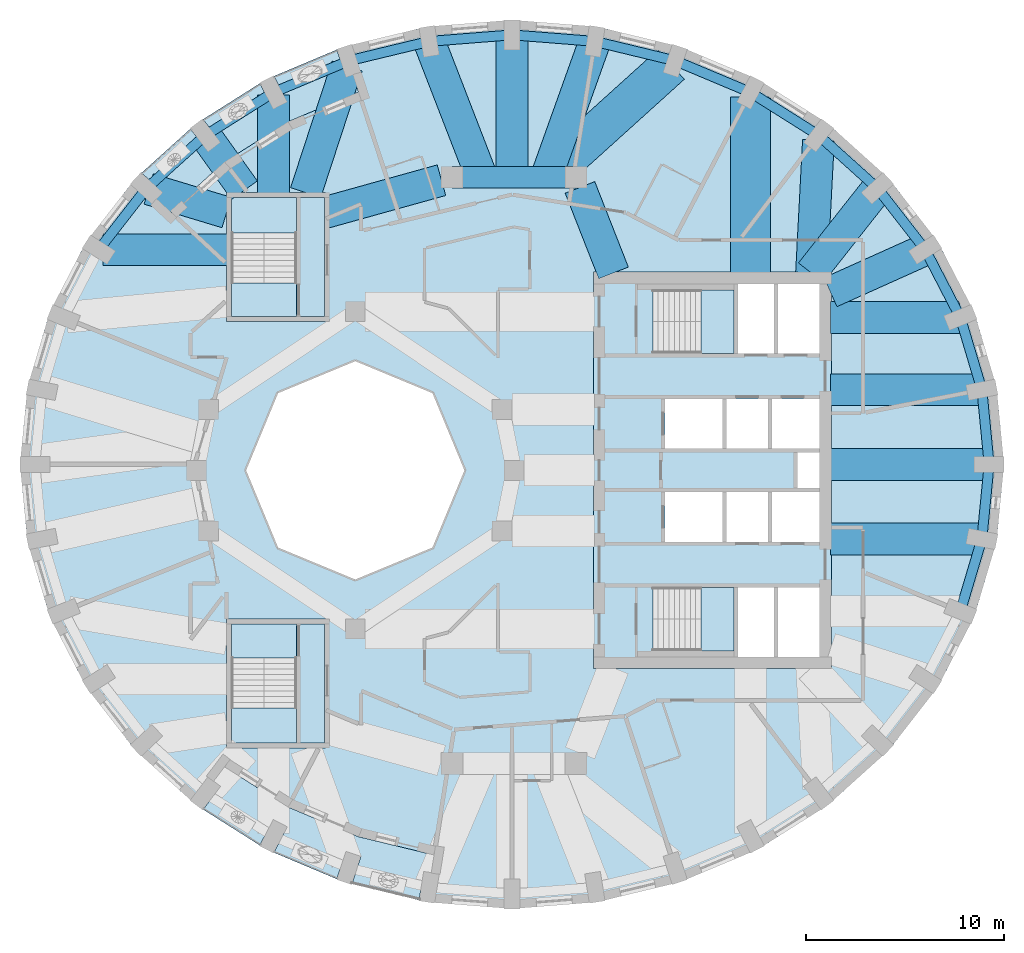
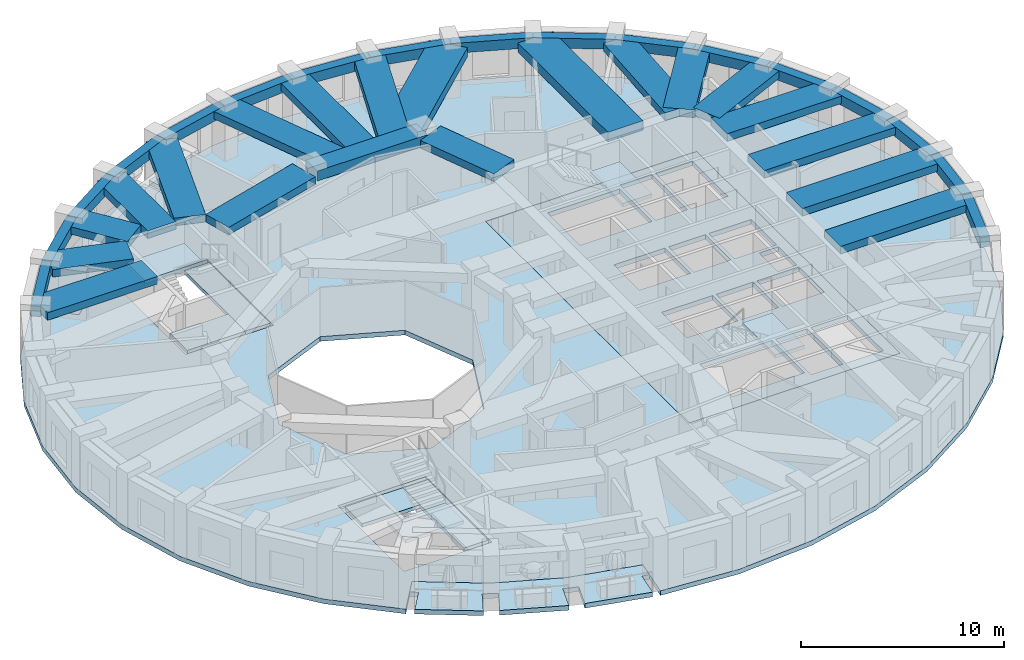
# One storey, part 2 of 12: 37 beams, 12 slabs, 4 elements without a shape of their own.
"""IFC4 building model written with IfcOpenShell, lengths in metres."""

from ifc_helpers import new_model, si_unit, direction, frame, origin, origin_2d, place, context, subcontext, project, spatial, polyline, rectangle, outline, extrude, material, layer, layer_set, material_profile, profile_set, type_object, element, aggregate, save


model = new_model("IFC4")

# Units and contexts
model_context = context("Model", 3, precision=1e-05, world=origin(), true_north=direction((0.0, 1.0)))
body_context = subcontext(model_context, "Body", "Model", "MODEL_VIEW")
ifc_project = project(units=[si_unit("LENGTHUNIT", "METRE"), si_unit("AREAUNIT", "SQUARE_METRE"), si_unit("VOLUMEUNIT", "CUBIC_METRE"), si_unit("PLANEANGLEUNIT", "RADIAN"), si_unit("MASSUNIT", "GRAM", prefix="KILO")], contexts=[model_context])

# Site, building, storey
site_placement = place(None, origin())
site = spatial("IfcSite", under=ifc_project, at=site_placement, CompositionType="ELEMENT")
building_placement = place(site_placement, origin())
building = spatial("IfcBuilding", under=site, at=building_placement, Name="Taillehof Tower", CompositionType="ELEMENT")
storey_placement = place(building_placement, frame((0.0, 0.0, 256.39990234375)))
storey = spatial("IfcBuildingStorey", under=building, at=storey_placement, Name="L73", CompositionType="ELEMENT", Elevation=256.39990234375)

# Beams
ifc_material_1 = material(Name="Concrete C50/60", Category="concrete")
ifc_material_profile_1 = material_profile(ifc_material_1, rectangle(XDim=1.10009765625, YDim=0.60009765625, at=origin_2d()), Name="RC 1100x600")
ifc_profile_set_1 = profile_set([ifc_material_profile_1], Name="Concrete C50/60")
beam_type_1 = type_object("IfcBeamType", Name="Mid-ring beam C50/60 1100x600", PredefinedType="BEAM", material=ifc_profile_set_1)
beam_1_placement = place(storey_placement, frame((3.125732421875, 14.772216796875, 2.650146484375), z_axis=(-1.0, 0.0, 0.0), x_axis=(0.0, -1.0, 0.0)))
element("IfcBeam", 1, at=beam_1_placement, inside=storey, type_object=beam_type_1, Name="Mid-ring beam MB01", PredefinedType="BEAM", context=body_context, shape_type="SweptSolid", body=[
    extrude(rectangle(XDim=1.10009765625, YDim=0.60009765625, at=origin_2d()), origin(), (0.0, 0.0, 1.0), 6.25146484375),
])
ifc_material_2 = material(Name="Concrete C50/60", Category="concrete")
ifc_material_profile_2 = material_profile(ifc_material_2, rectangle(XDim=1.60009765625, YDim=0.449951171875, at=origin_2d()), Name="RC 1600x450")
ifc_profile_set_2 = profile_set([ifc_material_profile_2], Name="Concrete C50/60")
beam_type_2 = type_object("IfcBeamType", Name="Radial band beam C50/60 1600x450", PredefinedType="BEAM", material=ifc_profile_set_2)
beam_2_placement = place(storey_placement, frame((23.949951171875, 0.300048828125, 2.72509765625), z_axis=(-1.0, 0.0, 0.0), x_axis=(0.0, -1.0, 0.0)))
element("IfcBeam", 2, at=beam_2_placement, inside=storey, type_object=beam_type_2, Name="Radial band beam RB01", PredefinedType="BEAM", context=body_context, shape_type="SweptSolid", body=[
    extrude(rectangle(XDim=1.60009765625, YDim=0.449951171875, at=origin_2d()), origin(), (0.0, 0.0, 1.0), 8.0),
])
beam_3_placement = place(storey_placement, frame((23.584716796875, 4.0595703125, 2.72509765625), z_axis=(-1.0, 0.0, 0.0), x_axis=(0.0, -1.0, 0.0)))
element("IfcBeam", 3, at=beam_3_placement, inside=storey, type_object=beam_type_2, Name="Radial band beam RB02", PredefinedType="BEAM", context=body_context, shape_type="SweptSolid", body=[
    extrude(rectangle(XDim=1.60009765625, YDim=0.449951171875, at=origin_2d()), origin(), (0.0, 0.0, 1.0), 7.634765625),
])
beam_4_placement = place(storey_placement, frame((22.44580078125, 7.704833984375, 2.72509765625), z_axis=(-1.0, 0.0, 0.0), x_axis=(0.0, -1.0, 0.0)))
element("IfcBeam", 4, at=beam_4_placement, inside=storey, type_object=beam_type_2, Name="Radial band beam RB03", PredefinedType="BEAM", context=body_context, shape_type="SweptSolid", body=[
    extrude(rectangle(XDim=1.60009765625, YDim=0.449951171875, at=origin_2d()), origin(), (0.0, 0.0, 1.0), 6.495849609375),
])
beam_5_placement = place(storey_placement, frame((20.72802734375, 11.125, 2.72509765625), z_axis=(-0.912110813011, -0.409943733685, 0.0), x_axis=(0.409943733685, -0.912110813011, 0.0)))
element("IfcBeam", 5, at=beam_5_placement, inside=storey, type_object=beam_type_2, Name="Radial band beam RB04", PredefinedType="BEAM", context=body_context, shape_type="SweptSolid", body=[
    extrude(rectangle(XDim=1.60009765625, YDim=0.449951171875, at=origin_2d()), origin(), (0.0, 0.0, 1.0), 5.233642578125),
])
beam_6_placement = place(storey_placement, frame((18.323486328125, 14.21630859375, 2.72509765625), z_axis=(-0.619052480422, -0.785349620541, 0.0), x_axis=(0.785349620541, -0.619052480422, 0.0)))
element("IfcBeam", 6, at=beam_6_placement, inside=storey, type_object=beam_type_2, Name="Radial band beam RB05", PredefinedType="BEAM", context=body_context, shape_type="SweptSolid", body=[
    extrude(rectangle(XDim=1.60009765625, YDim=0.449951171875, at=origin_2d()), origin(), (0.0, 0.0, 1.0), 5.418701171875),
])
beam_7_placement = place(storey_placement, frame((15.3466796875, 16.645751953125, 2.72509765625), z_axis=(-0.052105887855, -0.998641565553, 0.0), x_axis=(0.998641565553, -0.052105887855, 0.0)))
element("IfcBeam", 7, at=beam_7_placement, inside=storey, type_object=beam_type_2, Name="Radial band beam RB06", PredefinedType="BEAM", context=body_context, shape_type="SweptSolid", body=[
    extrude(rectangle(XDim=1.60009765625, YDim=0.449951171875, at=origin_2d()), origin(), (0.0, 0.0, 1.0), 6.704833984375),
])
beam_8_placement = place(storey_placement, frame((4.076171875, 21.62109375, 2.72509765625), z_axis=(-0.33687426523, -0.941549642571, 0.0), x_axis=(0.941549642571, -0.33687426523, 0.0)))
element("IfcBeam", 8, at=beam_8_placement, inside=storey, type_object=beam_type_2, Name="Radial band beam RB09", PredefinedType="BEAM", context=body_context, shape_type="SweptSolid", body=[
    extrude(rectangle(XDim=1.60009765625, YDim=0.449951171875, at=origin_2d()), origin(), (0.0, 0.0, 1.0), 7.27392578125),
])
beam_9_placement = place(storey_placement, frame((-0.10009765625, 21.949951171875, 2.72509765625), z_axis=(0.0, -1.0, 0.0), x_axis=(1.0, 0.0, 0.0)))
element("IfcBeam", 9, at=beam_9_placement, inside=storey, type_object=beam_type_2, Name="Radial band beam RB10", PredefinedType="BEAM", context=body_context, shape_type="SweptSolid", body=[
    extrude(rectangle(XDim=1.60009765625, YDim=0.449951171875, at=origin_2d()), origin(), (0.0, 0.0, 1.0), 7.177734375),
])
beam_10_placement = place(storey_placement, frame((-4.276123046875, 21.62109375, 2.72509765625), z_axis=(0.360900836016, -0.932604196089, 0.0), x_axis=(0.932604196089, 0.360900836016, 0.0)))
element("IfcBeam", 10, at=beam_10_placement, inside=storey, type_object=beam_type_2, Name="Radial band beam RB11", PredefinedType="BEAM", context=body_context, shape_type="SweptSolid", body=[
    extrude(rectangle(XDim=1.60009765625, YDim=0.449951171875, at=origin_2d()), origin(), (0.0, 0.0, 1.0), 7.34375),
])
beam_11_placement = place(storey_placement, frame((-8.41162109375, 20.38134765625, 2.72509765625), z_axis=(-0.311042642597, -0.950395956687, 0.0), x_axis=(0.950395956687, -0.311042642597, 0.0)))
element("IfcBeam", 11, at=beam_11_placement, inside=storey, type_object=beam_type_2, Name="Radial band beam RB12", PredefinedType="BEAM", context=body_context, shape_type="SweptSolid", body=[
    extrude(rectangle(XDim=1.60009765625, YDim=0.449951171875, at=origin_2d()), origin(), (0.0, 0.0, 1.0), 6.715576171875),
])
beam_12_placement = place(storey_placement, frame((-12.125, 18.91552734375, 2.72509765625), z_axis=(0.0, -1.0, 0.0), x_axis=(1.0, 0.0, 0.0)))
element("IfcBeam", 12, at=beam_12_placement, inside=storey, type_object=beam_type_2, Name="Radial band beam RB13", PredefinedType="BEAM", context=body_context, shape_type="SweptSolid", body=[
    extrude(rectangle(XDim=1.60009765625, YDim=0.449951171875, at=origin_2d()), origin(), (0.0, 0.0, 1.0), 4.965576171875),
])
beam_13_placement = place(storey_placement, frame((-15.55908203125, 16.884765625, 2.72509765625), z_axis=(0.580959197129, -0.813932682272, 0.0), x_axis=(0.813932682272, 0.580959197129, 0.0)))
element("IfcBeam", 13, at=beam_13_placement, inside=storey, type_object=beam_type_2, Name="Radial band beam RB14", PredefinedType="BEAM", context=body_context, shape_type="SweptSolid", body=[
    extrude(rectangle(XDim=1.60009765625, YDim=0.449951171875, at=origin_2d()), origin(), (0.0, 0.0, 1.0), 3.394287109375),
])
beam_14_placement = place(storey_placement, frame((-18.413818359375, 14.18310546875, 2.72509765625), z_axis=(0.957221394865, -0.289356529584, 0.0), x_axis=(0.289356529584, 0.957221394865, 0.0)))
element("IfcBeam", 14, at=beam_14_placement, inside=storey, type_object=beam_type_2, Name="Radial band beam RB15", PredefinedType="BEAM", context=body_context, shape_type="SweptSolid", body=[
    extrude(rectangle(XDim=1.60009765625, YDim=0.449951171875, at=origin_2d()), origin(), (0.0, 0.0, 1.0), 4.102294921875),
])
beam_15_placement = place(storey_placement, frame((-20.7119140625, 11.125, 2.72509765625), z_axis=(1.0, 0.0, 0.0), x_axis=(0.0, 1.0, 0.0)))
element("IfcBeam", 15, at=beam_15_placement, inside=storey, type_object=beam_type_2, Name="Radial band beam RB16", PredefinedType="BEAM", context=body_context, shape_type="SweptSolid", body=[
    extrude(rectangle(XDim=1.60009765625, YDim=0.449951171875, at=origin_2d()), origin(), (0.0, 0.0, 1.0), 6.261962890625),
])
beam_16_placement = place(storey_placement, frame((23.584716796875, -3.45947265625, 2.72509765625), z_axis=(-1.0, 0.0, 0.0), x_axis=(0.0, -1.0, 0.0)))
element("IfcBeam", 16, at=beam_16_placement, inside=storey, type_object=beam_type_2, Name="Radial band beam RB36", PredefinedType="BEAM", context=body_context, shape_type="SweptSolid", body=[
    extrude(rectangle(XDim=1.60009765625, YDim=0.449951171875, at=origin_2d()), origin(), (0.0, 0.0, 1.0), 7.634765625),
])
beam_17_placement = place(storey_placement, frame((3.32666015625, 14.26025390625, 2.72509765625), z_axis=(0.365588707223, -0.930776502255, 0.0), x_axis=(0.930776502255, 0.365588707223, 0.0)))
element("IfcBeam", 17, at=beam_17_placement, inside=storey, type_object=beam_type_2, Name="Inner band beam IB205", PredefinedType="BEAM", context=body_context, shape_type="SweptSolid", body=[
    extrude(rectangle(XDim=1.60009765625, YDim=0.449951171875, at=origin_2d()), origin(), (0.0, 0.0, 1.0), 4.627197265625),
])
beam_18_placement = place(storey_placement, frame((-3.655517578125, 14.624755859375, 2.72509765625), z_axis=(-0.963459369536, -0.267854518821, 0.0), x_axis=(0.267854518821, -0.963459369536, 0.0)))
element("IfcBeam", 18, at=beam_18_placement, inside=storey, type_object=beam_type_2, Name="Inner band beam IB206", PredefinedType="BEAM", context=body_context, shape_type="SweptSolid", body=[
    extrude(rectangle(XDim=1.60009765625, YDim=0.449951171875, at=origin_2d()), origin(), (0.0, 0.0, 1.0), 6.096923828125),
])
ifc_material_3 = material(Name="Concrete C50/60", Category="concrete")
ifc_material_profile_3 = material_profile(ifc_material_3, rectangle(XDim=2.0, YDim=0.550048828125, at=origin_2d()), Name="RC 2000x550")
ifc_profile_set_3 = profile_set([ifc_material_profile_3], Name="Concrete C50/60")
beam_type_3 = type_object("IfcBeamType", Name="Radial band beam C50/60 2000x550", PredefinedType="BEAM", material=ifc_profile_set_3)
beam_19_placement = place(storey_placement, frame((11.925048828125, 18.8115234375, 2.675048828125), z_axis=(0.0, -1.0, 0.0), x_axis=(1.0, 0.0, 0.0)))
element("IfcBeam", 19, at=beam_19_placement, inside=storey, type_object=beam_type_3, Name="Radial band beam RB07", PredefinedType="BEAM", context=body_context, shape_type="SweptSolid", body=[
    extrude(rectangle(XDim=2.0, YDim=0.550048828125, at=origin_2d()), origin(), (0.0, 0.0, 1.0), 8.861572265625),
])
beam_20_placement = place(storey_placement, frame((7.9150390625, 20.4541015625, 2.675048828125), z_axis=(-0.742031364941, -0.670365164253, 0.0), x_axis=(0.670365164253, -0.742031364941, 0.0)))
element("IfcBeam", 20, at=beam_20_placement, inside=storey, type_object=beam_type_3, Name="Radial band beam RB08", PredefinedType="BEAM", context=body_context, shape_type="SweptSolid", body=[
    extrude(rectangle(XDim=2.0, YDim=0.550048828125, at=origin_2d()), origin(), (0.0, 0.0, 1.0), 8.189453125),
])
ifc_material_4 = material(Name="Concrete C50/60", Category="concrete")
ifc_material_profile_4 = material_profile(ifc_material_4, rectangle(XDim=0.5, YDim=0.60009765625, at=origin_2d()), Name="RC 500x600")
ifc_profile_set_4 = profile_set([ifc_material_profile_4], Name="Concrete C50/60")
beam_type_4 = type_object("IfcBeamType", Name="Spandrel beam C50/60 500x600", PredefinedType="SPANDREL", material=ifc_profile_set_4)
beam_21_placement = place(storey_placement, frame((23.949951171875, 0.300048828125, 2.650146484375), z_axis=(-0.096693940319, 0.995314162416, 0.0), x_axis=(-0.995314162416, -0.096693940319, 0.0)))
element("IfcBeam", 21, at=beam_21_placement, inside=storey, type_object=beam_type_4, Name="Spandrel beam SB01", PredefinedType="SPANDREL", context=body_context, shape_type="SweptSolid", body=[
    extrude(rectangle(XDim=0.5, YDim=0.60009765625, at=origin_2d()), origin(), (0.0, 0.0, 1.0), 3.777099609375),
])
beam_22_placement = place(storey_placement, frame((23.584716796875, 4.0595703125, 2.650146484375), z_axis=(-0.285327303248, 0.95843013831, 0.0), x_axis=(-0.95843013831, -0.285327303248, 0.0)))
element("IfcBeam", 22, at=beam_22_placement, inside=storey, type_object=beam_type_4, Name="Spandrel beam SB02", PredefinedType="SPANDREL", context=body_context, shape_type="SweptSolid", body=[
    extrude(rectangle(XDim=0.5, YDim=0.60009765625, at=origin_2d()), origin(), (0.0, 0.0, 1.0), 3.803466796875),
])
beam_23_placement = place(storey_placement, frame((22.49951171875, 7.704833984375, 2.650146484375), z_axis=(-0.45992118545, 0.887959741865, 0.0), x_axis=(-0.887959741865, -0.45992118545, 0.0)))
element("IfcBeam", 23, at=beam_23_placement, inside=storey, type_object=beam_type_4, Name="Spandrel beam SB03", PredefinedType="SPANDREL", context=body_context, shape_type="SweptSolid", body=[
    extrude(rectangle(XDim=0.5, YDim=0.60009765625, at=origin_2d()), origin(), (0.0, 0.0, 1.0), 3.851806640625),
])
beam_24_placement = place(storey_placement, frame((20.72802734375, 11.125, 2.650146484375), z_axis=(-0.613970823209, 0.78932872002, 0.0), x_axis=(-0.78932872002, -0.613970823209, 0.0)))
element("IfcBeam", 24, at=beam_24_placement, inside=storey, type_object=beam_type_4, Name="Spandrel beam SB04", PredefinedType="SPANDREL", context=body_context, shape_type="SweptSolid", body=[
    extrude(rectangle(XDim=0.5, YDim=0.60009765625, at=origin_2d()), origin(), (0.0, 0.0, 1.0), 3.916259765625),
])
beam_25_placement = place(storey_placement, frame((18.323486328125, 14.21630859375, 2.650146484375), z_axis=(-0.743227182134, 0.669039128704, 0.0), x_axis=(-0.669039128704, -0.743227182134, 0.0)))
element("IfcBeam", 25, at=beam_25_placement, inside=storey, type_object=beam_type_4, Name="Spandrel beam SB05", PredefinedType="SPANDREL", context=body_context, shape_type="SweptSolid", body=[
    extrude(rectangle(XDim=0.5, YDim=0.60009765625, at=origin_2d()), origin(), (0.0, 0.0, 1.0), 3.988525390625),
])
beam_26_placement = place(storey_placement, frame((15.359130859375, 16.884765625, 2.650146484375), z_axis=(-0.845944476237, 0.5332709847, 0.0), x_axis=(-0.5332709847, -0.845944476237, 0.0)))
element("IfcBeam", 26, at=beam_26_placement, inside=storey, type_object=beam_type_4, Name="Spandrel beam SB06", PredefinedType="SPANDREL", context=body_context, shape_type="SweptSolid", body=[
    extrude(rectangle(XDim=0.5, YDim=0.60009765625, at=origin_2d()), origin(), (0.0, 0.0, 1.0), 4.0595703125),
])
beam_27_placement = place(storey_placement, frame((11.925048828125, 19.049560546875, 2.650146484375), z_axis=(-0.922076419735, 0.387007850267, 0.0), x_axis=(-0.387007850267, -0.922076419735, 0.0)))
element("IfcBeam", 27, at=beam_27_placement, inside=storey, type_object=beam_type_4, Name="Spandrel beam SB07", PredefinedType="SPANDREL", context=body_context, shape_type="SweptSolid", body=[
    extrude(rectangle(XDim=0.5, YDim=0.60009765625, at=origin_2d()), origin(), (0.0, 0.0, 1.0), 4.12060546875),
])
beam_28_placement = place(storey_placement, frame((8.12548828125, 20.644287109375, 2.650146484375), z_axis=(-0.972115850295, 0.234501116425, 0.0), x_axis=(-0.234501116425, -0.972115850295, 0.0)))
element("IfcBeam", 28, at=beam_28_placement, inside=storey, type_object=beam_type_4, Name="Spandrel beam SB08", PredefinedType="SPANDREL", context=body_context, shape_type="SweptSolid", body=[
    extrude(rectangle(XDim=0.5, YDim=0.60009765625, at=origin_2d()), origin(), (0.0, 0.0, 1.0), 4.16552734375),
])
beam_29_placement = place(storey_placement, frame((4.076171875, 21.62109375, 2.650146484375), z_axis=(-0.996914011582, 0.078501296247, 0.0), x_axis=(-0.078501296247, -0.996914011582, 0.0)))
element("IfcBeam", 29, at=beam_29_placement, inside=storey, type_object=beam_type_4, Name="Spandrel beam SB09", PredefinedType="SPANDREL", context=body_context, shape_type="SweptSolid", body=[
    extrude(rectangle(XDim=0.5, YDim=0.60009765625, at=origin_2d()), origin(), (0.0, 0.0, 1.0), 4.189208984375),
])
beam_30_placement = place(storey_placement, frame((-0.10009765625, 21.949951171875, 2.650146484375), z_axis=(-0.996913652411, -0.07850585734, 0.0), x_axis=(0.07850585734, -0.996913652411, 0.0)))
element("IfcBeam", 30, at=beam_30_placement, inside=storey, type_object=beam_type_4, Name="Spandrel beam SB10", PredefinedType="SPANDREL", context=body_context, shape_type="SweptSolid", body=[
    extrude(rectangle(XDim=0.5, YDim=0.60009765625, at=origin_2d()), origin(), (0.0, 0.0, 1.0), 4.18896484375),
])
beam_31_placement = place(storey_placement, frame((-4.276123046875, 21.62109375, 2.650146484375), z_axis=(-0.972119073064, -0.234487756154, 0.0), x_axis=(0.234487756154, -0.972119073064, 0.0)))
element("IfcBeam", 31, at=beam_31_placement, inside=storey, type_object=beam_type_4, Name="Spandrel beam SB11", PredefinedType="SPANDREL", context=body_context, shape_type="SweptSolid", body=[
    extrude(rectangle(XDim=0.5, YDim=0.60009765625, at=origin_2d()), origin(), (0.0, 0.0, 1.0), 4.165771484375),
])
beam_32_placement = place(storey_placement, frame((-8.32568359375, 20.644287109375, 2.650146484375), z_axis=(-0.922067545136, -0.387028994013, 0.0), x_axis=(0.387028994013, -0.922067545136, 0.0)))
element("IfcBeam", 32, at=beam_32_placement, inside=storey, type_object=beam_type_4, Name="Spandrel beam SB12", PredefinedType="SPANDREL", context=body_context, shape_type="SweptSolid", body=[
    extrude(rectangle(XDim=0.5, YDim=0.60009765625, at=origin_2d()), origin(), (0.0, 0.0, 1.0), 4.120361328125),
])
beam_33_placement = place(storey_placement, frame((-12.125, 19.049560546875, 2.650146484375), z_axis=(-0.845944476237, -0.5332709847, 0.0), x_axis=(0.5332709847, -0.845944476237, 0.0)))
element("IfcBeam", 33, at=beam_33_placement, inside=storey, type_object=beam_type_4, Name="Spandrel beam SB13", PredefinedType="SPANDREL", context=body_context, shape_type="SweptSolid", body=[
    extrude(rectangle(XDim=0.5, YDim=0.60009765625, at=origin_2d()), origin(), (0.0, 0.0, 1.0), 4.0595703125),
])
beam_34_placement = place(storey_placement, frame((-15.55908203125, 16.884765625, 2.650146484375), z_axis=(-0.743227182134, -0.669039128704, 0.0), x_axis=(0.669039128704, -0.743227182134, 0.0)))
element("IfcBeam", 34, at=beam_34_placement, inside=storey, type_object=beam_type_4, Name="Spandrel beam SB14", PredefinedType="SPANDREL", context=body_context, shape_type="SweptSolid", body=[
    extrude(rectangle(XDim=0.5, YDim=0.60009765625, at=origin_2d()), origin(), (0.0, 0.0, 1.0), 3.988525390625),
])
beam_35_placement = place(storey_placement, frame((-18.5234375, 14.21630859375, 2.650146484375), z_axis=(-0.613970823209, -0.78932872002, 0.0), x_axis=(0.78932872002, -0.613970823209, 0.0)))
element("IfcBeam", 35, at=beam_35_placement, inside=storey, type_object=beam_type_4, Name="Spandrel beam SB15", PredefinedType="SPANDREL", context=body_context, shape_type="SweptSolid", body=[
    extrude(rectangle(XDim=0.5, YDim=0.60009765625, at=origin_2d()), origin(), (0.0, 0.0, 1.0), 3.916259765625),
])
beam_36_placement = place(storey_placement, frame((22.49951171875, -7.104736328125, 2.650146484375), z_axis=(0.285327303248, 0.95843013831, 0.0), x_axis=(-0.95843013831, 0.285327303248, 0.0)))
element("IfcBeam", 36, at=beam_36_placement, inside=storey, type_object=beam_type_4, Name="Spandrel beam SB35", PredefinedType="SPANDREL", context=body_context, shape_type="SweptSolid", body=[
    extrude(rectangle(XDim=0.5, YDim=0.60009765625, at=origin_2d()), origin(), (0.0, 0.0, 1.0), 3.803466796875),
])
beam_37_placement = place(storey_placement, frame((23.584716796875, -3.45947265625, 2.650146484375), z_axis=(0.096693940319, 0.995314162416, 0.0), x_axis=(-0.995314162416, 0.096693940319, 0.0)))
element("IfcBeam", 37, at=beam_37_placement, inside=storey, type_object=beam_type_4, Name="Spandrel beam SB36", PredefinedType="SPANDREL", context=body_context, shape_type="SweptSolid", body=[
    extrude(rectangle(XDim=0.5, YDim=0.60009765625, at=origin_2d()), origin(), (0.0, 0.0, 1.0), 3.777099609375),
])

# Slabs
ifc_material_5 = material(Name="Concrete C40/50", Category="concrete")
ifc_layer_1 = layer(ifc_material_5, 0.280029296875)
ifc_layer_set_1 = layer_set([ifc_layer_1], Name="Balcony slab 280")
slab_type_1 = type_object("IfcSlabType", Name="Balcony slab 280", PredefinedType="USERDEFINED", material=ifc_layer_set_1)
slab_1_placement = place(storey_placement, frame((0.0, 0.0, -0.27978515625)))
element("IfcSlab", 38, at=slab_1_placement, inside=storey, type_object=slab_type_1, Name="Balcony L73 pocket 3", ObjectType="BALCONY", PredefinedType="USERDEFINED", context=body_context, shape_type="SweptSolid", body=[
    extrude(outline(polyline([(-17.339599609375, 13.06494140625), (-17.999755859375, 13.67822265625), (-17.70166015625, 13.9990234375), (-18.771728515625, 14.9931640625), (-16.311279296875, 17.21533203125), (-15.4248046875, 16.04541015625), (-14.787353515625, 16.52880859375), (-15.67041015625, 17.69384765625), (-12.81201171875, 19.501708984375), (-12.1328125, 18.199462890625), (-11.423583984375, 18.5693359375), (-12.100341796875, 19.8671875), (-8.93017578125, 21.20263671875), (-8.471435546875, 19.806884765625), (-8.11376953125, 19.924560546875), (-7.83251953125, 19.069091796875), (-11.390380859375, 17.571044921875), (-14.591552734375, 15.546630859375), (-17.339599609375, 13.06494140625)])), origin(), (0.0, 0.0, 1.0), 0.27978515625),
])
slab_2_placement = place(storey_placement, frame((0.0, 0.0, -0.27978515625)))
element("IfcSlab", 39, at=slab_2_placement, inside=storey, type_object=slab_type_1, Name="Balcony L73 pocket 7", ObjectType="BALCONY", PredefinedType="USERDEFINED", context=body_context, shape_type="SweptSolid", body=[
    extrude(outline(polyline([(-4.029052734375, -19.3896484375), (-4.170654296875, -20.278564453125), (-4.55322265625, -20.217529296875), (-4.784423828125, -21.668212890625), (-8.169189453125, -20.84912109375), (-7.71142578125, -19.456787109375), (-8.471435546875, -19.20703125), (-8.93017578125, -20.6025390625), (-12.100341796875, -19.267333984375), (-11.423583984375, -17.969482421875), (-12.1328125, -17.599365234375), (-12.81201171875, -18.901611328125), (-15.67041015625, -17.093994140625), (-14.787353515625, -15.9287109375), (-15.1357421875, -15.664794921875), (-14.591552734375, -14.94677734375), (-11.390380859375, -16.970947265625), (-7.83251953125, -18.46923828125), (-4.029052734375, -19.3896484375)])), origin(), (0.0, 0.0, 1.0), 0.27978515625),
])
ifc_material_6 = material(Name="Concrete C40/50", Category="concrete")
ifc_layer_2 = layer(ifc_material_6, 0.280029296875)
ifc_layer_set_2 = layer_set([ifc_layer_2], Name="Core floor slab C40/50 280")
slab_type_2 = type_object("IfcSlabType", Name="Core floor slab C40/50 280", PredefinedType="FLOOR", material=ifc_layer_set_2)
slab_3_placement = place(storey_placement, frame((0.0, 0.0, -0.27978515625)))
element("IfcSlab", 40, at=slab_3_placement, inside=storey, type_object=slab_type_2, Name="Core floor L73", PredefinedType="FLOOR", context=body_context, shape_type="SweptSolid", body=[
    extrude(outline(polyline([(4.0, -10.0), (4.0, 10.0), (16.0, 10.0), (16.0, -10.0), (4.0, -10.0)]), holes=[polyline([(11.10009765625, -9.10009765625), (11.10009765625, -5.89990234375), (7.00048828125, -5.89990234375), (7.00048828125, -9.10009765625), (11.10009765625, -9.10009765625)]), polyline([(10.5, -3.60009765625), (10.5, -1.10009765625), (7.60009765625, -1.10009765625), (7.60009765625, -3.60009765625), (10.5, -3.60009765625)]), polyline([(12.800048828125, -3.60009765625), (12.800048828125, -1.10009765625), (10.699951171875, -1.10009765625), (10.699951171875, -3.60009765625), (12.800048828125, -3.60009765625)]), polyline([(10.5, 3.60009765625), (7.60009765625, 3.60009765625), (7.60009765625, 1.10009765625), (10.5, 1.10009765625), (10.5, 3.60009765625)]), polyline([(12.800048828125, 1.10009765625), (12.800048828125, 3.60009765625), (10.699951171875, 3.60009765625), (10.699951171875, 1.10009765625), (12.800048828125, 1.10009765625)]), polyline([(11.10009765625, 5.89990234375), (11.10009765625, 9.10009765625), (7.00048828125, 9.10009765625), (7.00048828125, 5.89990234375), (11.10009765625, 5.89990234375)]), polyline([(13.10009765625, 9.39990234375), (11.300048828125, 9.39990234375), (11.300048828125, 5.89990234375), (13.10009765625, 5.89990234375), (13.10009765625, 9.39990234375)]), polyline([(13.10009765625, -9.39990234375), (13.10009765625, -5.89990234375), (11.300048828125, -5.89990234375), (11.300048828125, -9.39990234375), (13.10009765625, -9.39990234375)]), polyline([(15.39990234375, -9.39990234375), (15.39990234375, -5.89990234375), (13.300048828125, -5.89990234375), (13.300048828125, -9.39990234375), (15.39990234375, -9.39990234375)]), polyline([(15.39990234375, -3.60009765625), (15.39990234375, -1.10009765625), (13.0, -1.10009765625), (13.0, -3.60009765625), (15.39990234375, -3.60009765625)]), polyline([(15.39990234375, -0.89990234375), (15.39990234375, 0.89990234375), (14.300048828125, 0.89990234375), (14.300048828125, -0.89990234375), (15.39990234375, -0.89990234375)]), polyline([(15.39990234375, 1.10009765625), (15.39990234375, 3.60009765625), (13.0, 3.60009765625), (13.0, 1.10009765625), (15.39990234375, 1.10009765625)]), polyline([(15.39990234375, 5.89990234375), (15.39990234375, 9.39990234375), (13.300048828125, 9.39990234375), (13.300048828125, 5.89990234375), (15.39990234375, 5.89990234375)])]), origin(), (0.0, 0.0, 1.0), 0.27978515625),
])
ifc_material_7 = material(Name="Concrete C40/50", Category="concrete")
ifc_layer_3 = layer(ifc_material_7, 0.280029296875)
ifc_layer_set_3 = layer_set([ifc_layer_3], Name="Floor slab 280")
slab_type_3 = type_object("IfcSlabType", Name="Floor slab 280", PredefinedType="FLOOR", material=ifc_layer_set_3)
slab_4_placement = place(storey_placement, frame((0.0, 0.0, -0.27978515625)))
element("IfcSlab", 41, at=slab_4_placement, inside=storey, type_object=slab_type_3, Name="Floor slab L73", PredefinedType="FLOOR", context=body_context, shape_type="SweptSolid", body=[
    extrude(outline(polyline([(24.699951171875, 0.300048828125), (24.3232421875, 4.189697265625), (23.204345703125, 7.961181640625), (21.37744140625, 11.5), (18.89794921875, 14.698486328125), (15.841064453125, 17.45947265625), (12.300048828125, 19.698974609375), (8.382080078125, 21.34912109375), (4.20654296875, 22.359619140625), (-0.10009765625, 22.699951171875), (-4.406494140625, 22.359619140625), (-8.58203125, 21.34912109375), (-7.83251953125, 19.069091796875), (-11.390380859375, 17.57080078125), (-14.591552734375, 15.546630859375), (-17.339599609375, 13.06494140625), (-19.097900390625, 14.698486328125), (-21.577392578125, 11.5), (-23.404296875, 7.961181640625), (-24.523193359375, 4.189697265625), (-24.89990234375, 0.300048828125), (-24.523193359375, -3.589599609375), (-23.404296875, -7.361328125), (-21.577392578125, -10.89990234375), (-19.097900390625, -14.098388671875), (-16.041015625, -16.859375), (-14.591552734375, -14.94677734375), (-11.390380859375, -16.970947265625), (-7.83251953125, -18.46923828125), (-4.029052734375, -19.3896484375), (-4.406494140625, -21.759765625), (-0.10009765625, -22.10009765625), (4.20654296875, -21.759765625), (8.382080078125, -20.7490234375), (12.300048828125, -19.09912109375), (15.841064453125, -16.859375), (18.89794921875, -14.098388671875), (21.37744140625, -10.89990234375), (23.204345703125, -7.361328125), (24.3232421875, -3.589599609375), (24.699951171875, 0.300048828125)]), holes=[polyline([(-14.5, -7.5), (-9.5, -7.5), (-9.5, -14.0), (-14.5, -14.0), (-14.5, -7.5)]), polyline([(-8.0, -5.5), (-11.88916015625, -3.88916015625), (-13.5, 0.0), (-11.88916015625, 3.88916015625), (-8.0, 5.5), (-4.11083984375, 3.88916015625), (-2.5, 0.0), (-4.11083984375, -3.88916015625), (-8.0, -5.5)]), polyline([(16.0, 10.0), (16.0, -10.0), (4.0, -10.0), (4.0, 10.0), (16.0, 10.0)]), polyline([(-14.5, 14.0), (-9.5, 14.0), (-9.5, 7.5), (-14.5, 7.5), (-14.5, 14.0)])]), origin(), (0.0, 0.0, 1.0), 0.27978515625),
])

# Stair, slab
ifc_material_8 = material(Name="Concrete C40/50", Category="concrete")
stair_type = type_object("IfcStairType", Name="Exit stair half-turn", PredefinedType="HALF_TURN_STAIR", material=ifc_material_8)
stair_1_placement = place(storey_placement, origin())
stair_1 = element("IfcStair", 42, at=stair_1_placement, inside=storey, type_object=stair_type, Name="Exit stair S1", PredefinedType="HALF_TURN_STAIR")
ifc_material_9 = material(Name="Concrete C40/50", Category="concrete")
ifc_layer_4 = layer(ifc_material_9, 0.2099609375)
ifc_layer_set_4 = layer_set([ifc_layer_4], Name="Stair landing C40/50 210")
slab_type_4 = type_object("IfcSlabType", Name="Stair landing C40/50 210", PredefinedType="LANDING", material=ifc_layer_set_4)
slab_5_placement = place(storey_placement, frame((0.0, 0.0, 1.440185546875)))
slab_5 = element("IfcSlab", 43, at=slab_5_placement, type_object=slab_type_4, Name="S1 landing 1", PredefinedType="LANDING", context=body_context, shape_type="SweptSolid", body=[
    extrude(outline(polyline([(9.429931640625, 5.89990234375), (11.10009765625, 5.89990234375), (11.10009765625, 9.10009765625), (9.429931640625, 9.10009765625), (9.429931640625, 5.89990234375)])), origin(), (0.0, 0.0, 1.0), 0.2099609375),
])
aggregate(stair_1, [slab_5])

stair_2_placement = place(storey_placement, origin())
stair_2 = element("IfcStair", 44, at=stair_2_placement, inside=storey, type_object=stair_type, Name="Exit stair S2", PredefinedType="HALF_TURN_STAIR")
slab_6_placement = place(storey_placement, frame((0.0, 0.0, 1.440185546875)))
slab_6 = element("IfcSlab", 45, at=slab_6_placement, type_object=slab_type_4, Name="S2 landing 1", PredefinedType="LANDING", context=body_context, shape_type="SweptSolid", body=[
    extrude(outline(polyline([(9.429931640625, -5.89990234375), (11.10009765625, -5.89990234375), (11.10009765625, -9.10009765625), (9.429931640625, -9.10009765625), (9.429931640625, -5.89990234375)])), origin(), (0.0, 0.0, 1.0), 0.2099609375),
])
aggregate(stair_2, [slab_6])

stair_3_placement = place(storey_placement, origin())
stair_3 = element("IfcStair", 46, at=stair_3_placement, inside=storey, type_object=stair_type, Name="Exit stair S3", PredefinedType="HALF_TURN_STAIR")
slab_7_placement = place(storey_placement, frame((0.0, 0.0, 1.440185546875)))
slab_7 = element("IfcSlab", 47, at=slab_7_placement, type_object=slab_type_4, Name="S3 landing 1", PredefinedType="LANDING", context=body_context, shape_type="SweptSolid", body=[
    extrude(outline(polyline([(-14.25, 11.969970703125), (-14.25, 13.75), (-10.949951171875, 13.75), (-10.949951171875, 11.969970703125), (-14.25, 11.969970703125)])), origin(), (0.0, 0.0, 1.0), 0.2099609375),
])
aggregate(stair_3, [slab_7])

stair_4_placement = place(storey_placement, origin())
stair_4 = element("IfcStair", 48, at=stair_4_placement, inside=storey, type_object=stair_type, Name="Exit stair S4", PredefinedType="HALF_TURN_STAIR")
slab_8_placement = place(storey_placement, frame((0.0, 0.0, 1.440185546875)))
slab_8 = element("IfcSlab", 49, at=slab_8_placement, type_object=slab_type_4, Name="S4 landing 1", PredefinedType="LANDING", context=body_context, shape_type="SweptSolid", body=[
    extrude(outline(polyline([(-14.25, -11.969970703125), (-14.25, -13.75), (-10.949951171875, -13.75), (-10.949951171875, -11.969970703125), (-14.25, -11.969970703125)])), origin(), (0.0, 0.0, 1.0), 0.2099609375),
])
aggregate(stair_4, [slab_8])

# Slabs
slab_9_placement = place(storey_placement, frame((0.0, 0.0, -0.2099609375)))
element("IfcSlab", 50, at=slab_9_placement, inside=storey, type_object=slab_type_4, Name="Stair S3 floor landing", PredefinedType="LANDING", context=body_context, shape_type="SweptSolid", body=[
    extrude(outline(polyline([(-14.25, 7.75), (-14.25, 9.449951171875), (-10.949951171875, 9.449951171875), (-10.949951171875, 7.75), (-14.25, 7.75)])), origin(), (0.0, 0.0, 1.0), 0.2099609375),
])
slab_10_placement = place(storey_placement, frame((0.0, 0.0, -0.2099609375)))
element("IfcSlab", 51, at=slab_10_placement, inside=storey, type_object=slab_type_4, Name="Stair lobby S3 floor", PredefinedType="LANDING", context=body_context, shape_type="SweptSolid", body=[
    extrude(outline(polyline([(-10.949951171875, 7.75), (-9.550048828125, 7.75), (-9.550048828125, 13.75), (-10.949951171875, 13.75), (-10.949951171875, 7.75)])), origin(), (0.0, 0.0, 1.0), 0.2099609375),
])
slab_11_placement = place(storey_placement, frame((0.0, 0.0, -0.2099609375)))
element("IfcSlab", 52, at=slab_11_placement, inside=storey, type_object=slab_type_4, Name="Stair S4 floor landing", PredefinedType="LANDING", context=body_context, shape_type="SweptSolid", body=[
    extrude(outline(polyline([(-14.25, -7.75), (-14.25, -9.449951171875), (-10.949951171875, -9.449951171875), (-10.949951171875, -7.75), (-14.25, -7.75)])), origin(), (0.0, 0.0, 1.0), 0.2099609375),
])
slab_12_placement = place(storey_placement, frame((0.0, 0.0, -0.2099609375)))
element("IfcSlab", 53, at=slab_12_placement, inside=storey, type_object=slab_type_4, Name="Stair lobby S4 floor", PredefinedType="LANDING", context=body_context, shape_type="SweptSolid", body=[
    extrude(outline(polyline([(-10.949951171875, -13.75), (-9.550048828125, -13.75), (-9.550048828125, -7.75), (-10.949951171875, -7.75), (-10.949951171875, -13.75)])), origin(), (0.0, 0.0, 1.0), 0.2099609375),
])

save(model, "model.ifc")
